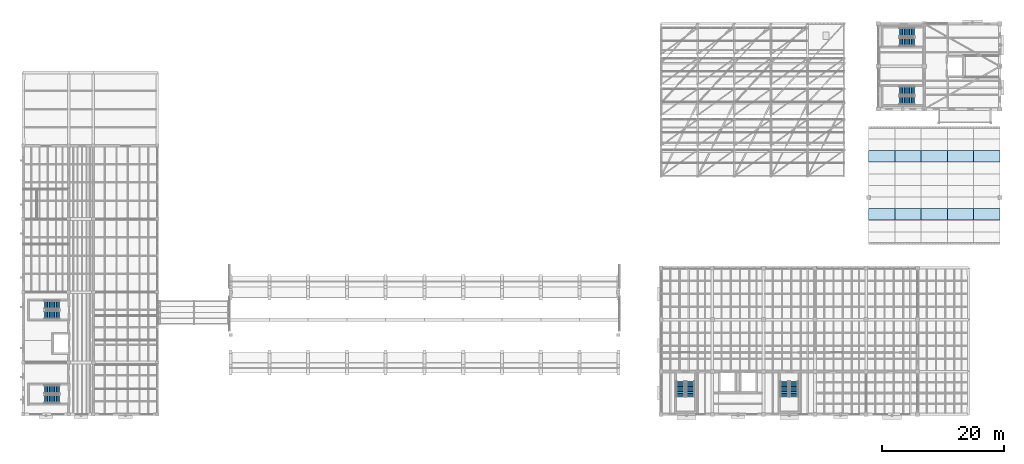
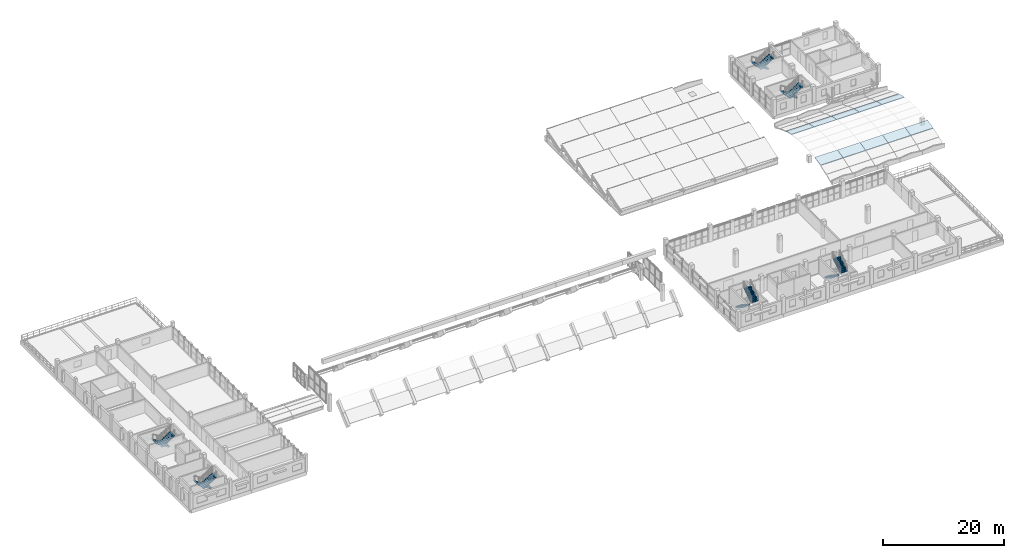
# One storey, part 39 of 48: 12 stair flights, 10 roofs, 6 elements without a shape of their own.
"""IFC4 building model written with IfcOpenShell, lengths in metres."""

from ifc_helpers import new_model, si_unit, direction, frame, origin, place, context, subcontext, project, spatial, polyline, outline, extrude, material, layer, layer_set, type_object, element, aggregate, save


model = new_model("IFC4")

# Units and contexts
model_context = context("Model", 3, precision=1e-05, world=origin(), true_north=direction((0.0, 1.0)))
body_context = subcontext(model_context, "Body", "Model", "MODEL_VIEW")
ifc_project = project(units=[si_unit("LENGTHUNIT", "METRE"), si_unit("AREAUNIT", "SQUARE_METRE"), si_unit("VOLUMEUNIT", "CUBIC_METRE"), si_unit("PLANEANGLEUNIT", "RADIAN"), si_unit("MASSUNIT", "GRAM", prefix="KILO")], contexts=[model_context])

# Site, building, storey
site_placement = place(None, origin())
site = spatial("IfcSite", under=ifc_project, at=site_placement, CompositionType="ELEMENT")
building_placement = place(site_placement, origin())
building = spatial("IfcBuilding", under=site, at=building_placement, Name="Trellovar Central Fire Station", CompositionType="ELEMENT")
storey_placement = place(building_placement, frame((0.0, 0.0, 9.300048828125)))
storey = spatial("IfcBuildingStorey", under=building, at=storey_placement, Name="L03", CompositionType="ELEMENT", Elevation=9.300048828125)

# Stair, stair flights
ifc_material_1 = material(Name="Concrete C40/50", Category="concrete")
stair_type = type_object("IfcStairType", Name="ST-R1725", PredefinedType="HALF_TURN_STAIR", material=ifc_material_1)
stair_1_placement = place(storey_placement, origin())
stair_1 = element("IfcStair", 1, at=stair_1_placement, inside=storey, type_object=stair_type, Name="L03 Protected exit stair ST-01", PredefinedType="HALF_TURN_STAIR")
ifc_material_2 = material(Name="Concrete C40/50", Category="concrete")
stair_flight_type = type_object("IfcStairFlightType", Name="STF-R1725", PredefinedType="STRAIGHT", material=ifc_material_2)
stair_flight_1_placement = place(storey_placement, frame((108.699951171875, 14.39990234375, 0.0), z_axis=(0.0, 0.0, 1.0), x_axis=(0.0, -1.0, 0.0)))
stair_flight_1 = element("IfcStairFlight", 2, at=stair_flight_1_placement, type_object=stair_flight_type, Name="ST-01 flight 1", NumberOfRisers=10, NumberOfTreads=9, PredefinedType="STRAIGHT", RiserHeight=0.1725, TreadLength=0.28, context=body_context, shape_type="SweptSolid", body=[
    extrude(outline(polyline([(0.0, 0.0), (0.0, 0.172607421875), (0.280029296875, 0.172607421875), (0.280029296875, 0.344970703125), (0.56005859375, 0.344970703125), (0.56005859375, 0.517578125), (0.840087890625, 0.517578125), (0.840087890625, 0.68994140625), (1.1201171875, 0.68994140625), (1.1201171875, 0.862548828125), (1.39990234375, 0.862548828125), (1.39990234375, 1.034912109375), (1.679931640625, 1.034912109375), (1.679931640625, 1.20751953125), (1.9599609375, 1.20751953125), (1.9599609375, 1.3798828125), (2.239990234375, 1.3798828125), (2.239990234375, 1.552490234375), (2.52001953125, 1.552490234375), (2.52001953125, 1.72509765625), (2.52001953125, 1.37646484375), (0.285888671875, 0.0), (0.0, 0.0)])), frame((0.0, 0.699951171875, 0.0), z_axis=(0.0, -1.0, 0.0), x_axis=(1.0, 0.0, 0.0)), (0.0, 0.0, 1.0), 1.39990234375),
])
stair_flight_2_placement = place(storey_placement, frame((110.300048828125, 11.8798828125, 1.724853515625), z_axis=(0.0, 0.0, 1.0), x_axis=(0.0, 1.0, 0.0)))
stair_flight_2 = element("IfcStairFlight", 3, at=stair_flight_2_placement, type_object=stair_flight_type, Name="ST-01 flight 2", NumberOfRisers=10, NumberOfTreads=9, PredefinedType="STRAIGHT", RiserHeight=0.1725, TreadLength=0.28, context=body_context, shape_type="SweptSolid", body=[
    extrude(outline(polyline([(0.0, 0.0), (0.0, 0.172607421875), (0.280029296875, 0.172607421875), (0.280029296875, 0.344970703125), (0.56005859375, 0.344970703125), (0.56005859375, 0.517578125), (0.840087890625, 0.517578125), (0.840087890625, 0.68994140625), (1.1201171875, 0.68994140625), (1.1201171875, 0.862548828125), (1.39990234375, 0.862548828125), (1.39990234375, 1.034912109375), (1.679931640625, 1.034912109375), (1.679931640625, 1.20751953125), (1.9599609375, 1.20751953125), (1.9599609375, 1.3798828125), (2.239990234375, 1.3798828125), (2.239990234375, 1.552490234375), (2.52001953125, 1.552490234375), (2.52001953125, 1.72509765625), (2.52001953125, 1.37646484375), (0.285888671875, 0.0), (0.0, 0.0)])), frame((0.0, 0.699951171875, 0.0), z_axis=(0.0, -1.0, 0.0), x_axis=(1.0, 0.0, 0.0)), (0.0, 0.0, 1.0), 1.39990234375),
])
aggregate(stair_1, [stair_flight_1, stair_flight_2])

stair_2_placement = place(storey_placement, origin())
stair_2 = element("IfcStair", 4, at=stair_2_placement, inside=storey, type_object=stair_type, Name="L03 Protected exit stair ST-02", PredefinedType="HALF_TURN_STAIR")
stair_flight_3_placement = place(storey_placement, frame((125.699951171875, 14.39990234375, 0.0), z_axis=(0.0, 0.0, 1.0), x_axis=(0.0, -1.0, 0.0)))
stair_flight_3 = element("IfcStairFlight", 5, at=stair_flight_3_placement, type_object=stair_flight_type, Name="ST-02 flight 1", NumberOfRisers=10, NumberOfTreads=9, PredefinedType="STRAIGHT", RiserHeight=0.1725, TreadLength=0.28, context=body_context, shape_type="SweptSolid", body=[
    extrude(outline(polyline([(0.0, 0.0), (0.0, 0.172607421875), (0.280029296875, 0.172607421875), (0.280029296875, 0.344970703125), (0.56005859375, 0.344970703125), (0.56005859375, 0.517578125), (0.840087890625, 0.517578125), (0.840087890625, 0.68994140625), (1.1201171875, 0.68994140625), (1.1201171875, 0.862548828125), (1.39990234375, 0.862548828125), (1.39990234375, 1.034912109375), (1.679931640625, 1.034912109375), (1.679931640625, 1.20751953125), (1.9599609375, 1.20751953125), (1.9599609375, 1.3798828125), (2.239990234375, 1.3798828125), (2.239990234375, 1.552490234375), (2.52001953125, 1.552490234375), (2.52001953125, 1.72509765625), (2.52001953125, 1.37646484375), (0.285888671875, 0.0), (0.0, 0.0)])), frame((0.0, 0.699951171875, 0.0), z_axis=(0.0, -1.0, 0.0), x_axis=(1.0, 0.0, 0.0)), (0.0, 0.0, 1.0), 1.39990234375),
])
stair_flight_4_placement = place(storey_placement, frame((127.300048828125, 11.8798828125, 1.724853515625), z_axis=(0.0, 0.0, 1.0), x_axis=(0.0, 1.0, 0.0)))
stair_flight_4 = element("IfcStairFlight", 6, at=stair_flight_4_placement, type_object=stair_flight_type, Name="ST-02 flight 2", NumberOfRisers=10, NumberOfTreads=9, PredefinedType="STRAIGHT", RiserHeight=0.1725, TreadLength=0.28, context=body_context, shape_type="SweptSolid", body=[
    extrude(outline(polyline([(0.0, 0.0), (0.0, 0.172607421875), (0.280029296875, 0.172607421875), (0.280029296875, 0.344970703125), (0.56005859375, 0.344970703125), (0.56005859375, 0.517578125), (0.840087890625, 0.517578125), (0.840087890625, 0.68994140625), (1.1201171875, 0.68994140625), (1.1201171875, 0.862548828125), (1.39990234375, 0.862548828125), (1.39990234375, 1.034912109375), (1.679931640625, 1.034912109375), (1.679931640625, 1.20751953125), (1.9599609375, 1.20751953125), (1.9599609375, 1.3798828125), (2.239990234375, 1.3798828125), (2.239990234375, 1.552490234375), (2.52001953125, 1.552490234375), (2.52001953125, 1.72509765625), (2.52001953125, 1.37646484375), (0.285888671875, 0.0), (0.0, 0.0)])), frame((0.0, 0.699951171875, 0.0), z_axis=(0.0, -1.0, 0.0), x_axis=(1.0, 0.0, 0.0)), (0.0, 0.0, 1.0), 1.39990234375),
])
aggregate(stair_2, [stair_flight_3, stair_flight_4])

stair_3_placement = place(storey_placement, origin())
stair_3 = element("IfcStair", 7, at=stair_3_placement, inside=storey, type_object=stair_type, Name="L03 Protected exit stair ST-03", PredefinedType="HALF_TURN_STAIR")
stair_flight_5_placement = place(storey_placement, frame((7.0, 13.10009765625, 0.0), z_axis=(0.0, 0.0, 1.0), x_axis=(-1.0, 0.0, 0.0)))
stair_flight_5 = element("IfcStairFlight", 8, at=stair_flight_5_placement, type_object=stair_flight_type, Name="ST-03 flight 1", NumberOfRisers=10, NumberOfTreads=9, PredefinedType="STRAIGHT", RiserHeight=0.1725, TreadLength=0.28, context=body_context, shape_type="SweptSolid", body=[
    extrude(outline(polyline([(0.0, 0.0), (0.0, 0.172607421875), (0.280029296875, 0.172607421875), (0.280029296875, 0.344970703125), (0.56005859375, 0.344970703125), (0.56005859375, 0.517578125), (0.840087890625, 0.517578125), (0.840087890625, 0.68994140625), (1.1201171875, 0.68994140625), (1.1201171875, 0.862548828125), (1.39990234375, 0.862548828125), (1.39990234375, 1.034912109375), (1.679931640625, 1.034912109375), (1.679931640625, 1.20751953125), (1.9599609375, 1.20751953125), (1.9599609375, 1.3798828125), (2.239990234375, 1.3798828125), (2.239990234375, 1.552490234375), (2.52001953125, 1.552490234375), (2.52001953125, 1.72509765625), (2.52001953125, 1.37646484375), (0.285888671875, 0.0), (0.0, 0.0)])), frame((0.0, 0.699951171875, 0.0), z_axis=(0.0, -1.0, 0.0), x_axis=(1.0, 0.0, 0.0)), (0.0, 0.0, 1.0), 1.39990234375),
])
stair_flight_6_placement = place(storey_placement, frame((4.47998046875, 11.5, 1.724853515625), z_axis=(0.0, 0.0, 1.0), x_axis=(1.0, 0.0, 0.0)))
stair_flight_6 = element("IfcStairFlight", 9, at=stair_flight_6_placement, type_object=stair_flight_type, Name="ST-03 flight 2", NumberOfRisers=10, NumberOfTreads=9, PredefinedType="STRAIGHT", RiserHeight=0.1725, TreadLength=0.28, context=body_context, shape_type="SweptSolid", body=[
    extrude(outline(polyline([(0.0, 0.0), (0.0, 0.172607421875), (0.280029296875, 0.172607421875), (0.280029296875, 0.344970703125), (0.56005859375, 0.344970703125), (0.56005859375, 0.517578125), (0.840087890625, 0.517578125), (0.840087890625, 0.68994140625), (1.1201171875, 0.68994140625), (1.1201171875, 0.862548828125), (1.39990234375, 0.862548828125), (1.39990234375, 1.034912109375), (1.679931640625, 1.034912109375), (1.679931640625, 1.20751953125), (1.9599609375, 1.20751953125), (1.9599609375, 1.3798828125), (2.239990234375, 1.3798828125), (2.239990234375, 1.552490234375), (2.52001953125, 1.552490234375), (2.52001953125, 1.72509765625), (2.52001953125, 1.37646484375), (0.285888671875, 0.0), (0.0, 0.0)])), frame((0.0, 0.699951171875, 0.0), z_axis=(0.0, -1.0, 0.0), x_axis=(1.0, 0.0, 0.0)), (0.0, 0.0, 1.0), 1.39990234375),
])
aggregate(stair_3, [stair_flight_5, stair_flight_6])

stair_4_placement = place(storey_placement, origin())
stair_4 = element("IfcStair", 10, at=stair_4_placement, inside=storey, type_object=stair_type, Name="L03 Protected exit stair ST-04", PredefinedType="HALF_TURN_STAIR")
stair_flight_7_placement = place(storey_placement, frame((7.0, 26.89990234375, 0.0), z_axis=(0.0, 0.0, 1.0), x_axis=(-1.0, 0.0, 0.0)))
stair_flight_7 = element("IfcStairFlight", 11, at=stair_flight_7_placement, type_object=stair_flight_type, Name="ST-04 flight 1", NumberOfRisers=10, NumberOfTreads=9, PredefinedType="STRAIGHT", RiserHeight=0.1725, TreadLength=0.28, context=body_context, shape_type="SweptSolid", body=[
    extrude(outline(polyline([(0.0, 0.0), (0.0, 0.172607421875), (0.280029296875, 0.172607421875), (0.280029296875, 0.344970703125), (0.56005859375, 0.344970703125), (0.56005859375, 0.517578125), (0.840087890625, 0.517578125), (0.840087890625, 0.68994140625), (1.1201171875, 0.68994140625), (1.1201171875, 0.862548828125), (1.39990234375, 0.862548828125), (1.39990234375, 1.034912109375), (1.679931640625, 1.034912109375), (1.679931640625, 1.20751953125), (1.9599609375, 1.20751953125), (1.9599609375, 1.3798828125), (2.239990234375, 1.3798828125), (2.239990234375, 1.552490234375), (2.52001953125, 1.552490234375), (2.52001953125, 1.72509765625), (2.52001953125, 1.37646484375), (0.285888671875, 0.0), (0.0, 0.0)])), frame((0.0, 0.699951171875, 0.0), z_axis=(0.0, -1.0, 0.0), x_axis=(1.0, 0.0, 0.0)), (0.0, 0.0, 1.0), 1.39990234375),
])
stair_flight_8_placement = place(storey_placement, frame((4.47998046875, 25.300048828125, 1.724853515625), z_axis=(0.0, 0.0, 1.0), x_axis=(1.0, 0.0, 0.0)))
stair_flight_8 = element("IfcStairFlight", 12, at=stair_flight_8_placement, type_object=stair_flight_type, Name="ST-04 flight 2", NumberOfRisers=10, NumberOfTreads=9, PredefinedType="STRAIGHT", RiserHeight=0.1725, TreadLength=0.28, context=body_context, shape_type="SweptSolid", body=[
    extrude(outline(polyline([(0.0, 0.0), (0.0, 0.172607421875), (0.280029296875, 0.172607421875), (0.280029296875, 0.344970703125), (0.56005859375, 0.344970703125), (0.56005859375, 0.517578125), (0.840087890625, 0.517578125), (0.840087890625, 0.68994140625), (1.1201171875, 0.68994140625), (1.1201171875, 0.862548828125), (1.39990234375, 0.862548828125), (1.39990234375, 1.034912109375), (1.679931640625, 1.034912109375), (1.679931640625, 1.20751953125), (1.9599609375, 1.20751953125), (1.9599609375, 1.3798828125), (2.239990234375, 1.3798828125), (2.239990234375, 1.552490234375), (2.52001953125, 1.552490234375), (2.52001953125, 1.72509765625), (2.52001953125, 1.37646484375), (0.285888671875, 0.0), (0.0, 0.0)])), frame((0.0, 0.699951171875, 0.0), z_axis=(0.0, -1.0, 0.0), x_axis=(1.0, 0.0, 0.0)), (0.0, 0.0, 1.0), 1.39990234375),
])
aggregate(stair_4, [stair_flight_7, stair_flight_8])

stair_5_placement = place(storey_placement, origin())
stair_5 = element("IfcStair", 13, at=stair_5_placement, inside=storey, type_object=stair_type, Name="L03 Protected exit stair ST-05", PredefinedType="HALF_TURN_STAIR")
stair_flight_9_placement = place(storey_placement, frame((147.050048828125, 62.0, 0.0), z_axis=(0.0, 0.0, 1.0), x_axis=(-1.0, 0.0, 0.0)))
stair_flight_9 = element("IfcStairFlight", 14, at=stair_flight_9_placement, type_object=stair_flight_type, Name="ST-05 flight 1", NumberOfRisers=10, NumberOfTreads=9, PredefinedType="STRAIGHT", RiserHeight=0.1725, TreadLength=0.28, context=body_context, shape_type="SweptSolid", body=[
    extrude(outline(polyline([(0.0, 0.0), (0.0, 0.172607421875), (0.280029296875, 0.172607421875), (0.280029296875, 0.344970703125), (0.56005859375, 0.344970703125), (0.56005859375, 0.517578125), (0.840087890625, 0.517578125), (0.840087890625, 0.68994140625), (1.1201171875, 0.68994140625), (1.1201171875, 0.862548828125), (1.39990234375, 0.862548828125), (1.39990234375, 1.034912109375), (1.679931640625, 1.034912109375), (1.679931640625, 1.20751953125), (1.9599609375, 1.20751953125), (1.9599609375, 1.3798828125), (2.239990234375, 1.3798828125), (2.239990234375, 1.552490234375), (2.52001953125, 1.552490234375), (2.52001953125, 1.72509765625), (2.52001953125, 1.37646484375), (0.285888671875, 0.0), (0.0, 0.0)])), frame((0.0, 0.699951171875, 0.0), z_axis=(0.0, -1.0, 0.0), x_axis=(1.0, 0.0, 0.0)), (0.0, 0.0, 1.0), 1.39990234375),
])
stair_flight_10_placement = place(storey_placement, frame((144.530029296875, 60.39990234375, 1.724853515625), z_axis=(0.0, 0.0, 1.0), x_axis=(1.0, 0.0, 0.0)))
stair_flight_10 = element("IfcStairFlight", 15, at=stair_flight_10_placement, type_object=stair_flight_type, Name="ST-05 flight 2", NumberOfRisers=10, NumberOfTreads=9, PredefinedType="STRAIGHT", RiserHeight=0.1725, TreadLength=0.28, context=body_context, shape_type="SweptSolid", body=[
    extrude(outline(polyline([(0.0, 0.0), (0.0, 0.172607421875), (0.280029296875, 0.172607421875), (0.280029296875, 0.344970703125), (0.56005859375, 0.344970703125), (0.56005859375, 0.517578125), (0.840087890625, 0.517578125), (0.840087890625, 0.68994140625), (1.1201171875, 0.68994140625), (1.1201171875, 0.862548828125), (1.39990234375, 0.862548828125), (1.39990234375, 1.034912109375), (1.679931640625, 1.034912109375), (1.679931640625, 1.20751953125), (1.9599609375, 1.20751953125), (1.9599609375, 1.3798828125), (2.239990234375, 1.3798828125), (2.239990234375, 1.552490234375), (2.52001953125, 1.552490234375), (2.52001953125, 1.72509765625), (2.52001953125, 1.37646484375), (0.285888671875, 0.0), (0.0, 0.0)])), frame((0.0, 0.699951171875, 0.0), z_axis=(0.0, -1.0, 0.0), x_axis=(1.0, 0.0, 0.0)), (0.0, 0.0, 1.0), 1.39990234375),
])
aggregate(stair_5, [stair_flight_9, stair_flight_10])

stair_6_placement = place(storey_placement, origin())
stair_6 = element("IfcStair", 16, at=stair_6_placement, inside=storey, type_object=stair_type, Name="L03 Protected exit stair ST-06", PredefinedType="HALF_TURN_STAIR")
stair_flight_11_placement = place(storey_placement, frame((147.050048828125, 71.60009765625, 0.0), z_axis=(0.0, 0.0, 1.0), x_axis=(-1.0, 0.0, 0.0)))
stair_flight_11 = element("IfcStairFlight", 17, at=stair_flight_11_placement, type_object=stair_flight_type, Name="ST-06 flight 1", NumberOfRisers=10, NumberOfTreads=9, PredefinedType="STRAIGHT", RiserHeight=0.1725, TreadLength=0.28, context=body_context, shape_type="SweptSolid", body=[
    extrude(outline(polyline([(0.0, 0.0), (0.0, 0.172607421875), (0.280029296875, 0.172607421875), (0.280029296875, 0.344970703125), (0.56005859375, 0.344970703125), (0.56005859375, 0.517578125), (0.840087890625, 0.517578125), (0.840087890625, 0.68994140625), (1.1201171875, 0.68994140625), (1.1201171875, 0.862548828125), (1.39990234375, 0.862548828125), (1.39990234375, 1.034912109375), (1.679931640625, 1.034912109375), (1.679931640625, 1.20751953125), (1.9599609375, 1.20751953125), (1.9599609375, 1.3798828125), (2.239990234375, 1.3798828125), (2.239990234375, 1.552490234375), (2.52001953125, 1.552490234375), (2.52001953125, 1.72509765625), (2.52001953125, 1.37646484375), (0.285888671875, 0.0), (0.0, 0.0)])), frame((0.0, 0.699951171875, 0.0), z_axis=(0.0, -1.0, 0.0), x_axis=(1.0, 0.0, 0.0)), (0.0, 0.0, 1.0), 1.39990234375),
])
stair_flight_12_placement = place(storey_placement, frame((144.530029296875, 70.0, 1.724853515625), z_axis=(0.0, 0.0, 1.0), x_axis=(1.0, 0.0, 0.0)))
stair_flight_12 = element("IfcStairFlight", 18, at=stair_flight_12_placement, type_object=stair_flight_type, Name="ST-06 flight 2", NumberOfRisers=10, NumberOfTreads=9, PredefinedType="STRAIGHT", RiserHeight=0.1725, TreadLength=0.28, context=body_context, shape_type="SweptSolid", body=[
    extrude(outline(polyline([(0.0, 0.0), (0.0, 0.172607421875), (0.280029296875, 0.172607421875), (0.280029296875, 0.344970703125), (0.56005859375, 0.344970703125), (0.56005859375, 0.517578125), (0.840087890625, 0.517578125), (0.840087890625, 0.68994140625), (1.1201171875, 0.68994140625), (1.1201171875, 0.862548828125), (1.39990234375, 0.862548828125), (1.39990234375, 1.034912109375), (1.679931640625, 1.034912109375), (1.679931640625, 1.20751953125), (1.9599609375, 1.20751953125), (1.9599609375, 1.3798828125), (2.239990234375, 1.3798828125), (2.239990234375, 1.552490234375), (2.52001953125, 1.552490234375), (2.52001953125, 1.72509765625), (2.52001953125, 1.37646484375), (0.285888671875, 0.0), (0.0, 0.0)])), frame((0.0, 0.699951171875, 0.0), z_axis=(0.0, -1.0, 0.0), x_axis=(1.0, 0.0, 0.0)), (0.0, 0.0, 1.0), 1.39990234375),
])
aggregate(stair_6, [stair_flight_11, stair_flight_12])

# Roofs
ifc_material_3 = material(Name="Concrete C40/50", Category="concrete")
ifc_layer = layer(ifc_material_3, 0.080078125)
ifc_layer_set = layer_set([ifc_layer], Name="Concrete C40/50")
roof_type = type_object("IfcRoofType", Name="ROOF-BV1", PredefinedType="BARREL_ROOF", material=ifc_layer_set)
for number, where, z_axis, x_axis, name in (
    (19, (139.5, 40.802001953125, 1.552490234375), (0.0, -0.235241840598, 0.971936868542), (1.0, 0.0, 0.0), "V3 Catalan barrel roof shell BV-1 01-03"),
    (20, (139.5, 50.32080078125, 2.0068359375), (0.0, 0.235241840598, 0.971936868542), (1.0, 0.0, 0.0), "V3 Catalan barrel roof shell BV-1 01-08"),
    (21, (143.800048828125, 40.802001953125, 1.552490234375), (0.0, -0.235241840598, 0.971936868542), (1.0, 0.0, 0.0), "V3 Catalan barrel roof shell BV-1 02-03"),
    (22, (143.800048828125, 50.32080078125, 2.0068359375), (0.0, 0.235241840598, 0.971936868542), (1.0, 0.0, 0.0), "V3 Catalan barrel roof shell BV-1 02-08"),
):
    element("IfcRoof", number, at=place(storey_placement, frame(where, z_axis=z_axis, x_axis=x_axis)), inside=storey, type_object=roof_type, Name=name, PredefinedType="BARREL_ROOF", context=body_context, shape_type="SweptSolid", body=[
        extrude(outline(polyline([(0.0, 0.0), (4.300048828125, 0.0), (4.300048828125, 1.9313983514588926), (0.0, 1.9313983514588926), (0.0, 0.0)])), origin(), (0.0, 0.0, -1.0), 0.080078125),
    ])
for number, where, z_axis, x_axis, name in (
    (23, (148.10009765625, 40.802001953125, 1.552490234375), (0.0, -0.235241840598, 0.971936868542), (1.0, 0.0, 0.0), "V3 Catalan barrel roof shell BV-1 03-03"),
    (24, (148.10009765625, 50.32080078125, 2.0068359375), (0.0, 0.235241840598, 0.971936868542), (1.0, 0.0, 0.0), "V3 Catalan barrel roof shell BV-1 03-08"),
):
    element("IfcRoof", number, at=place(storey_placement, frame(where, z_axis=z_axis, x_axis=x_axis)), inside=storey, type_object=roof_type, Name=name, PredefinedType="BARREL_ROOF", context=body_context, shape_type="SweptSolid", body=[
        extrude(outline(polyline([(0.0, 0.0), (4.2998046875, 0.0), (4.2998046875, 1.9313983514588926), (0.0, 1.9313983514588926), (0.0, 0.0)])), origin(), (0.0, 0.0, -1.0), 0.080078125),
    ])
for number, where, z_axis, x_axis, name in (
    (25, (152.39990234375, 40.802001953125, 1.552490234375), (0.0, -0.235241840598, 0.971936868542), (1.0, 0.0, 0.0), "V3 Catalan barrel roof shell BV-1 04-03"),
    (26, (152.39990234375, 50.32080078125, 2.0068359375), (0.0, 0.235241840598, 0.971936868542), (1.0, 0.0, 0.0), "V3 Catalan barrel roof shell BV-1 04-08"),
    (27, (156.699951171875, 40.802001953125, 1.552490234375), (0.0, -0.235241840598, 0.971936868542), (1.0, 0.0, 0.0), "V3 Catalan barrel roof shell BV-1 05-03"),
    (28, (156.699951171875, 50.32080078125, 2.0068359375), (0.0, 0.235241840598, 0.971936868542), (1.0, 0.0, 0.0), "V3 Catalan barrel roof shell BV-1 05-08"),
):
    element("IfcRoof", number, at=place(storey_placement, frame(where, z_axis=z_axis, x_axis=x_axis)), inside=storey, type_object=roof_type, Name=name, PredefinedType="BARREL_ROOF", context=body_context, shape_type="SweptSolid", body=[
        extrude(outline(polyline([(0.0, 0.0), (4.300048828125, 0.0), (4.300048828125, 1.9313983514588926), (0.0, 1.9313983514588926), (0.0, 0.0)])), origin(), (0.0, 0.0, -1.0), 0.080078125),
    ])

save(model, "model.ifc")
